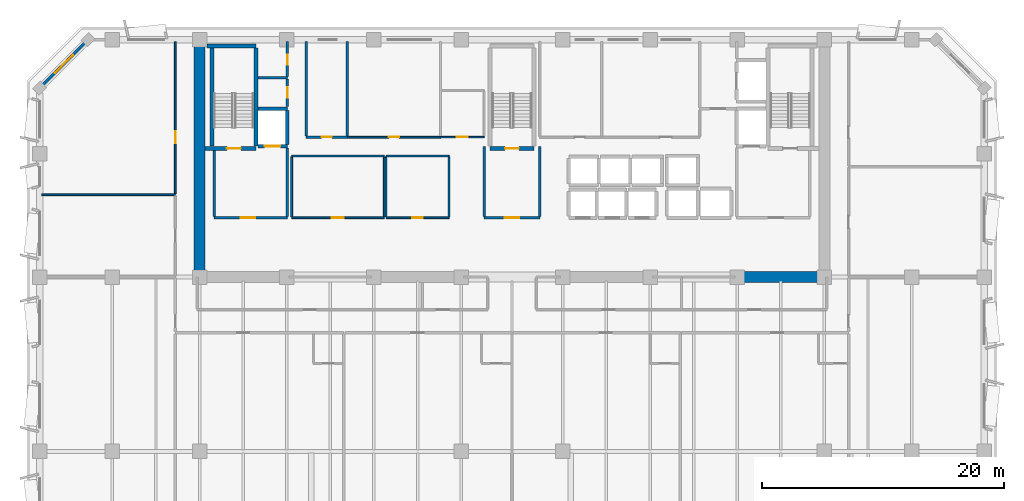
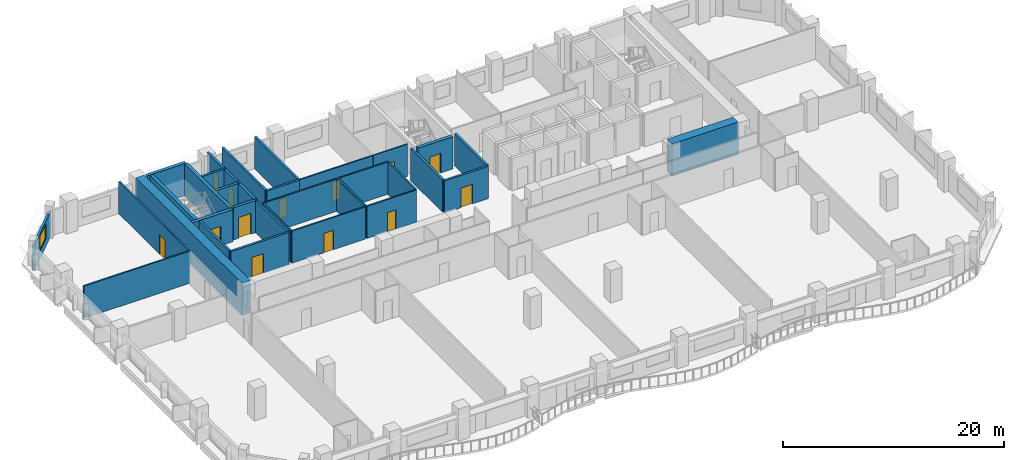
# One storey, part 6 of 14: 35 walls, 13 doors, 1 window, 14 openings.
"""IFC4 building model written with IfcOpenShell, lengths in metres."""

from ifc_helpers import new_model, si_unit, direction, frame, frame_2d, origin, place, context, subcontext, project, spatial, rectangle, extrude, material, layer, layer_set, type_object, element, fill, save


model = new_model("IFC4")

# Units and contexts
model_context = context("Model", 3, precision=1e-05, world=origin(), true_north=direction((0.0, 1.0)))
body_context = subcontext(model_context, "Body", "Model", "MODEL_VIEW")
ifc_project = project(units=[si_unit("LENGTHUNIT", "METRE"), si_unit("AREAUNIT", "SQUARE_METRE"), si_unit("VOLUMEUNIT", "CUBIC_METRE"), si_unit("PLANEANGLEUNIT", "RADIAN"), si_unit("MASSUNIT", "GRAM", prefix="KILO")], contexts=[model_context])

# Site, building, storey
site_placement = place(None, origin())
site = spatial("IfcSite", under=ifc_project, at=site_placement, CompositionType="ELEMENT")
building_placement = place(site_placement, origin())
building = spatial("IfcBuilding", under=site, at=building_placement, Name="Kaelvorn Grand Hotel", CompositionType="ELEMENT")
storey_placement = place(building_placement, frame((0.0, 0.0, 212.949951171875)))
storey = spatial("IfcBuildingStorey", under=building, at=storey_placement, Name="L52", CompositionType="ELEMENT", Elevation=212.949951171875)

# Walls
ifc_material_1 = material(Name="Concrete C60/75", Category="concrete")
ifc_layer_1 = layer(ifc_material_1, 0.89990234375)
ifc_layer_set_1 = layer_set([ifc_layer_1], Name="Concrete C60/75")
wall_type_1 = type_object("IfcWallType", Name="WL-CORE-900-C60", PredefinedType="SHEAR", material=ifc_layer_set_1)
wall_1_placement = place(storey_placement, frame((16.199951171875, 29.39990234375, 0.0), z_axis=(0.0, 0.0, 1.0), x_axis=(0.0, 1.0, 0.0)))
element("IfcWall", 1, at=wall_1_placement, inside=storey, type_object=wall_type_1, Name="L52 Rear-Core West Shear Wall", PredefinedType="SHEAR", context=body_context, shape_type="SweptSolid", body=[
    extrude(rectangle(XDim=19.2001953125, YDim=0.89990234375, at=frame_2d((9.60009765625, 0.0))), origin(), (0.0, 0.0, 1.0), 3.56005859375),
])
wall_2_placement = place(storey_placement, frame((60.39990234375, 29.39990234375, 0.0), z_axis=(0.0, 0.0, 1.0), x_axis=(1.0, 0.0, 0.0)))
element("IfcWall", 2, at=wall_2_placement, inside=storey, type_object=wall_type_1, Name="L52 Rear-Core Coupled Shear Pier S4", PredefinedType="SHEAR", context=body_context, shape_type="SweptSolid", body=[
    extrude(rectangle(XDim=6.945068359375, YDim=0.89990234375, at=frame_2d((3.47265625, 0.0))), origin(), (0.0, 0.0, 1.0), 3.56005859375),
])

# Wall, opening, window
ifc_material_2 = material(Name="Concrete C40/50", Category="concrete")
ifc_layer_2 = layer(ifc_material_2, 0.239990234375)
ifc_layer_set_2 = layer_set([ifc_layer_2], Name="Concrete C40/50")
wall_type_2 = type_object("IfcWallType", Name="WL-EXT-240-C40", PredefinedType="SOLIDWALL", material=ifc_layer_set_2)
wall_3_placement = place(storey_placement, frame((7.0, 49.0, 0.0), z_axis=(0.0, 0.0, 1.0), x_axis=(-0.707106781187, -0.707106781187, 0.0)))
wall_3 = element("IfcWall", 3, at=wall_3_placement, inside=storey, type_object=wall_type_2, Name="L52 Exterior Architectural Concrete Wall 06", PredefinedType="SOLIDWALL", context=body_context, shape_type="SweptSolid", body=[
    extrude(rectangle(XDim=5.65673828125, YDim=0.239990234375, at=frame_2d((2.828369140625, 0.0))), origin(), (0.0, 0.0, 1.0), 2.760009765625),
])
opening_1_placement = place(wall_3_placement, frame((1.7783203125, 0.0, 0.85009765625)))
opening_1 = element("IfcOpeningElement", 4, at=opening_1_placement, cuts=wall_3, Name="Opening W7", PredefinedType="OPENING", context=body_context, shape_type="SweptSolid", body=[
    extrude(rectangle(XDim=2.10009765625, YDim=1.60009765625, at=frame_2d((1.050048828125, 0.800048828125))), frame((0.0, 0.1298828125, 0.0), z_axis=(0.0, -1.0, 0.0), x_axis=(1.0, 0.0, 0.0)), (0.0, 0.0, 1.0), 0.260009765625),
])
ifc_material_3 = material(Name="Laminated Low-E Glass", Category="glass")
window_type = type_object("IfcWindowType", Name="WIN-CHM-2100x1600", PartitioningType="SINGLE_PANEL", PredefinedType="WINDOW", material=ifc_material_3)
window_placement = place(opening_1_placement, origin())
window = element("IfcWindow", 5, at=window_placement, inside=storey, type_object=window_type, Name="L52 Chamfered 45-Degree Corner Window NW", OverallHeight=1.60009765625, OverallWidth=2.10009765625, PartitioningType="SINGLE_PANEL", PredefinedType="WINDOW", context=body_context, shape_type="SweptSolid", body=[
    extrude(rectangle(XDim=2.10009765625, YDim=1.60009765625, at=frame_2d((1.050048828125, 0.800048828125))), frame((0.0, 0.030029296875, 0.0), z_axis=(0.0, -1.0, 0.0), x_axis=(1.0, 0.0, 0.0)), (0.0, 0.0, 1.0), 0.06005859375),
])
fill(opening_1, window)

# Wall, opening, door
ifc_material_4 = material(Name="Moisture-Resistant Tile & Stud Board")
ifc_layer_3 = layer(ifc_material_4, 0.125)
ifc_layer_set_3 = layer_set([ifc_layer_3], Name="Moisture-Resistant Tile & Stud Board")
wall_type_3 = type_object("IfcWallType", Name="WL-PART-125-WET", PredefinedType="PARTITIONING", material=ifc_layer_set_3)
wall_4_placement = place(storey_placement, frame((36.110107421875, 40.949951171875, 0.0), z_axis=(0.0, 0.0, 1.0), x_axis=(1.0, 0.0, 0.0)))
wall_4 = element("IfcWall", 6, at=wall_4_placement, inside=storey, type_object=wall_type_3, Name="L52 Accessible WC S Partition", PredefinedType="PARTITIONING", context=body_context, shape_type="SweptSolid", body=[
    extrude(rectangle(XDim=3.58984375, YDim=0.125, at=frame_2d((1.794921875, 0.0))), origin(), (0.0, 0.0, 1.0), 3.56005859375),
])
opening_2_placement = place(wall_4_placement, frame((1.340087890625, 0.0, 0.0)))
opening_2 = element("IfcOpeningElement", 7, at=opening_2_placement, cuts=wall_4, Name="Opening DI4", PredefinedType="OPENING", context=body_context, shape_type="SweptSolid", body=[
    extrude(rectangle(XDim=0.89990234375, YDim=2.10009765625, at=frame_2d((0.449951171875, 1.050048828125))), frame((0.0, 0.072509765625, 0.0), z_axis=(0.0, -1.0, 0.0), x_axis=(1.0, 0.0, 0.0)), (0.0, 0.0, 1.0), 0.14501953125),
])
ifc_material_5 = material(Name="Timber Veneer Leaf", Category="wood")
door_type_1 = type_object("IfcDoorType", Name="DR-INT-BATH-900x2100", OperationType="NOTDEFINED", PredefinedType="DOOR", material=ifc_material_5)
door_1_placement = place(opening_2_placement, origin())
door_1 = element("IfcDoor", 8, at=door_1_placement, inside=storey, type_object=door_type_1, Name="L52 Accessible WC Door", OperationType="SINGLE_SWING_LEFT", OverallHeight=2.10009765625, OverallWidth=0.89990234375, PredefinedType="DOOR", context=body_context, shape_type="SweptSolid", body=[
    extrude(rectangle(XDim=0.89990234375, YDim=2.10009765625, at=frame_2d((0.449951171875, 1.050048828125))), frame((0.0, 0.02490234375, 0.0), z_axis=(0.0, -1.0, 0.0), x_axis=(1.0, 0.0, 0.0)), (0.0, 0.0, 1.0), 0.050048828125),
])
fill(opening_2, door_1)

ifc_material_6 = material(Name="Acoustic Gypsum & Stud Partition")
ifc_layer_4 = layer(ifc_material_6, 0.14990234375)
ifc_layer_set_4 = layer_set([ifc_layer_4], Name="Acoustic Gypsum & Stud Partition")
wall_type_4 = type_object("IfcWallType", Name="WL-PART-150-EI60", PredefinedType="PARTITIONING", material=ifc_layer_set_4)
wall_5_placement = place(storey_placement, frame((31.60009765625, 34.300048828125, 0.0), z_axis=(0.0, 0.0, 1.0), x_axis=(1.0, 0.0, 0.0)))
wall_5 = element("IfcWall", 9, at=wall_5_placement, inside=storey, type_object=wall_type_4, Name="L52 Core Telecoms & BMS Server Room S Partition", PredefinedType="PARTITIONING", context=body_context, shape_type="SweptSolid", body=[
    extrude(rectangle(XDim=5.199951171875, YDim=0.14990234375, at=frame_2d((2.60009765625, 0.0))), origin(), (0.0, 0.0, 1.0), 3.56005859375),
])
opening_3_placement = place(wall_5_placement, frame((2.175048828125, 0.0, 0.0)))
opening_3 = element("IfcOpeningElement", 10, at=opening_3_placement, cuts=wall_5, Name="Opening DI7", PredefinedType="OPENING", context=body_context, shape_type="SweptSolid", body=[
    extrude(rectangle(XDim=0.85009765625, YDim=2.10009765625, at=frame_2d((0.425048828125, 1.050048828125))), frame((0.0, 0.0849609375, 0.0), z_axis=(0.0, -1.0, 0.0), x_axis=(1.0, 0.0, 0.0)), (0.0, 0.0, 1.0), 0.169921875),
])
ifc_material_7 = material(Name="Powder-Coated Steel Leaf", Category="steel")
door_type_2 = type_object("IfcDoorType", Name="DR-INT-RISER-850x2100", OperationType="NOTDEFINED", PredefinedType="DOOR", material=ifc_material_7)
door_2_placement = place(opening_3_placement, origin())
door_2 = element("IfcDoor", 11, at=door_2_placement, inside=storey, type_object=door_type_2, Name="L52 Core Telecoms & BMS Server Room Door", OperationType="SINGLE_SWING_LEFT", OverallHeight=2.10009765625, OverallWidth=0.85009765625, PredefinedType="DOOR", context=body_context, shape_type="SweptSolid", body=[
    extrude(rectangle(XDim=0.85009765625, YDim=2.10009765625, at=frame_2d((0.425048828125, 1.050048828125))), frame((0.0, 0.02490234375, 0.0), z_axis=(0.0, -1.0, 0.0), x_axis=(1.0, 0.0, 0.0)), (0.0, 0.0, 1.0), 0.050048828125),
])
fill(opening_3, door_2)

# Walls
wall_6_placement = place(storey_placement, frame((31.60009765625, 39.39990234375, 0.0), z_axis=(0.0, 0.0, 1.0), x_axis=(1.0, 0.0, 0.0)))
element("IfcWall", 12, at=wall_6_placement, inside=storey, type_object=wall_type_4, Name="L52 Core Telecoms & BMS Server Room N Partition", PredefinedType="PARTITIONING", context=body_context, shape_type="SweptSolid", body=[
    extrude(rectangle(XDim=5.199951171875, YDim=0.14990234375, at=frame_2d((2.60009765625, 0.0))), origin(), (0.0, 0.0, 1.0), 3.56005859375),
])
for number, where, z_axis, x_axis, name in (
    (13, (31.60009765625, 34.3798828125, 0.0), (0.0, 0.0, 1.0), (0.0, 1.0, 0.0), "L52 Core Telecoms & BMS Server Room W Partition"),
    (14, (36.800048828125, 34.3798828125, 0.0), (0.0, 0.0, 1.0), (0.0, 1.0, 0.0), "L52 Core Telecoms & BMS Server Room E Partition"),
):
    element("IfcWall", number, at=place(storey_placement, frame(where, z_axis=z_axis, x_axis=x_axis)), inside=storey, type_object=wall_type_4, Name=name, PredefinedType="PARTITIONING", context=body_context, shape_type="SweptSolid", body=[
        extrude(rectangle(XDim=4.940185546875, YDim=0.14990234375, at=frame_2d((2.47021484375, 0.0))), origin(), (0.0, 0.0, 1.0), 3.56005859375),
    ])

# Wall, opening, door
wall_7_placement = place(storey_placement, frame((23.800048828125, 34.300048828125, 0.0), z_axis=(0.0, 0.0, 1.0), x_axis=(1.0, 0.0, 0.0)))
wall_7 = element("IfcWall", 15, at=wall_7_placement, inside=storey, type_object=wall_type_4, Name="L52 Executive Club Sitting Lounge S Partition", PredefinedType="PARTITIONING", context=body_context, shape_type="SweptSolid", body=[
    extrude(rectangle(XDim=7.64990234375, YDim=0.14990234375, at=frame_2d((3.824951171875, 0.0))), origin(), (0.0, 0.0, 1.0), 3.56005859375),
])
opening_4_placement = place(wall_7_placement, frame((3.300048828125, 0.0, 0.0)))
opening_4 = element("IfcOpeningElement", 16, at=opening_4_placement, cuts=wall_7, Name="Opening DI3", PredefinedType="OPENING", context=body_context, shape_type="SweptSolid", body=[
    extrude(rectangle(XDim=1.0, YDim=2.14990234375, at=frame_2d((0.5, 1.074951171875))), frame((0.0, 0.0849609375, 0.0), z_axis=(0.0, -1.0, 0.0), x_axis=(1.0, 0.0, 0.0)), (0.0, 0.0, 1.0), 0.169921875),
])
ifc_material_8 = material(Name="Timber Veneer Fire Leaf", Category="wood")
door_type_3 = type_object("IfcDoorType", Name="DR-INT-GUEST-1000x2150", OperationType="NOTDEFINED", PredefinedType="DOOR", material=ifc_material_8)
door_3_placement = place(opening_4_placement, origin())
door_3 = element("IfcDoor", 17, at=door_3_placement, inside=storey, type_object=door_type_3, Name="L52 Executive Club Sitting Lounge Door", OperationType="SINGLE_SWING_RIGHT", OverallHeight=2.14990234375, OverallWidth=1.0, PredefinedType="DOOR", context=body_context, shape_type="SweptSolid", body=[
    extrude(rectangle(XDim=1.0, YDim=2.14990234375, at=frame_2d((0.5, 1.074951171875))), frame((0.0, 0.02490234375, 0.0), z_axis=(0.0, -1.0, 0.0), x_axis=(1.0, 0.0, 0.0)), (0.0, 0.0, 1.0), 0.050048828125),
])
fill(opening_4, door_3)

# Walls
wall_8_placement = place(storey_placement, frame((23.800048828125, 39.39990234375, 0.0), z_axis=(0.0, 0.0, 1.0), x_axis=(1.0, 0.0, 0.0)))
element("IfcWall", 18, at=wall_8_placement, inside=storey, type_object=wall_type_4, Name="L52 Executive Club Sitting Lounge N Partition", PredefinedType="PARTITIONING", context=body_context, shape_type="SweptSolid", body=[
    extrude(rectangle(XDim=7.64990234375, YDim=0.14990234375, at=frame_2d((3.824951171875, 0.0))), origin(), (0.0, 0.0, 1.0), 3.56005859375),
])
for number, where, z_axis, x_axis, name in (
    (19, (23.800048828125, 34.3798828125, 0.0), (0.0, 0.0, 1.0), (0.0, 1.0, 0.0), "L52 Executive Club Sitting Lounge W Partition"),
    (20, (31.449951171875, 34.3798828125, 0.0), (0.0, 0.0, 1.0), (0.0, 1.0, 0.0), "L52 Executive Club Sitting Lounge E Partition"),
):
    element("IfcWall", number, at=place(storey_placement, frame(where, z_axis=z_axis, x_axis=x_axis)), inside=storey, type_object=wall_type_4, Name=name, PredefinedType="PARTITIONING", context=body_context, shape_type="SweptSolid", body=[
        extrude(rectangle(XDim=4.940185546875, YDim=0.14990234375, at=frame_2d((2.47021484375, 0.0))), origin(), (0.0, 0.0, 1.0), 3.56005859375),
    ])

# Wall, opening, door
wall_9_placement = place(storey_placement, frame((28.409912109375, 40.949951171875, 0.0), z_axis=(0.0, 0.0, 1.0), x_axis=(1.0, 0.0, 0.0)))
wall_9 = element("IfcWall", 21, at=wall_9_placement, inside=storey, type_object=wall_type_4, Name="L52 Housekeeping & Linen Room S Partition", PredefinedType="PARTITIONING", context=body_context, shape_type="SweptSolid", body=[
    extrude(rectangle(XDim=7.690185546875, YDim=0.14990234375, at=frame_2d((3.84521484375, 0.0))), origin(), (0.0, 0.0, 1.0), 3.56005859375),
])
opening_5_placement = place(wall_9_placement, frame((3.4150390625, 0.0, 0.0)))
opening_5 = element("IfcOpeningElement", 22, at=opening_5_placement, cuts=wall_9, Name="Opening DI7", PredefinedType="OPENING", context=body_context, shape_type="SweptSolid", body=[
    extrude(rectangle(XDim=0.85009765625, YDim=2.10009765625, at=frame_2d((0.425048828125, 1.050048828125))), frame((0.0, 0.0849609375, 0.0), z_axis=(0.0, -1.0, 0.0), x_axis=(1.0, 0.0, 0.0)), (0.0, 0.0, 1.0), 0.169921875),
])
door_4_placement = place(opening_5_placement, origin())
door_4 = element("IfcDoor", 23, at=door_4_placement, inside=storey, type_object=door_type_2, Name="L52 Housekeeping & Linen Room Door", OperationType="SINGLE_SWING_RIGHT", OverallHeight=2.10009765625, OverallWidth=0.85009765625, PredefinedType="DOOR", context=body_context, shape_type="SweptSolid", body=[
    extrude(rectangle(XDim=0.85009765625, YDim=2.10009765625, at=frame_2d((0.425048828125, 1.050048828125))), frame((0.0, 0.02490234375, 0.0), z_axis=(0.0, -1.0, 0.0), x_axis=(1.0, 0.0, 0.0)), (0.0, 0.0, 1.0), 0.050048828125),
])
fill(opening_5, door_4)

# Wall
wall_10_placement = place(storey_placement, frame((3.14990234375, 36.199951171875, 0.0), z_axis=(0.0, 0.0, 1.0), x_axis=(1.0, 0.0, 0.0)))
element("IfcWall", 24, at=wall_10_placement, inside=storey, type_object=wall_type_4, Name="L52 North-West Botanical Conservatory Salon N Partition", PredefinedType="PARTITIONING", context=body_context, shape_type="SweptSolid", body=[
    extrude(rectangle(XDim=11.050048828125, YDim=0.14990234375, at=frame_2d((5.52490234375, 0.0))), origin(), (0.0, 0.0, 1.0), 3.56005859375),
])

# Wall, opening, door
wall_11_placement = place(storey_placement, frame((14.199951171875, 36.280029296875, 0.0), z_axis=(0.0, 0.0, 1.0), x_axis=(0.0, 1.0, 0.0)))
wall_11 = element("IfcWall", 25, at=wall_11_placement, inside=storey, type_object=wall_type_4, Name="L52 North-West Catering Servery Kitchen E Partition", PredefinedType="PARTITIONING", context=body_context, shape_type="SweptSolid", body=[
    extrude(rectangle(XDim=12.570068359375, YDim=0.14990234375, at=frame_2d((6.28515625, 0.0))), origin(), (0.0, 0.0, 1.0), 3.56005859375),
])
opening_6_placement = place(wall_11_placement, frame((4.169921875, 0.0, 0.0)))
opening_6 = element("IfcOpeningElement", 26, at=opening_6_placement, cuts=wall_11, Name="Opening DI3", PredefinedType="OPENING", context=body_context, shape_type="SweptSolid", body=[
    extrude(rectangle(XDim=1.0, YDim=2.14990234375, at=frame_2d((0.5, 1.074951171875))), frame((0.0, 0.0849609375, 0.0), z_axis=(0.0, -1.0, 0.0), x_axis=(1.0, 0.0, 0.0)), (0.0, 0.0, 1.0), 0.169921875),
])
door_5_placement = place(opening_6_placement, origin())
door_5 = element("IfcDoor", 27, at=door_5_placement, inside=storey, type_object=door_type_3, Name="L52 North-West Catering Servery Kitchen Door", OperationType="SINGLE_SWING_LEFT", OverallHeight=2.14990234375, OverallWidth=1.0, PredefinedType="DOOR", context=body_context, shape_type="SweptSolid", body=[
    extrude(rectangle(XDim=1.0, YDim=2.14990234375, at=frame_2d((0.5, 1.074951171875))), frame((0.0, 0.02490234375, 0.0), z_axis=(0.0, -1.0, 0.0), x_axis=(1.0, 0.0, 0.0)), (0.0, 0.0, 1.0), 0.050048828125),
])
fill(opening_6, door_5)

ifc_layer_5 = layer(ifc_material_2, 0.219970703125)
ifc_layer_set_5 = layer_set([ifc_layer_5], Name="Concrete C40/50")
wall_type_5 = type_object("IfcWallType", Name="WL-PART-220-EI120", PredefinedType="PARTITIONING", material=ifc_layer_set_5)
wall_12_placement = place(storey_placement, frame((17.39990234375, 34.300048828125, 0.0), z_axis=(0.0, 0.0, 1.0), x_axis=(1.0, 0.0, 0.0)))
wall_12 = element("IfcWall", 28, at=wall_12_placement, inside=storey, type_object=wall_type_5, Name="L52 Firefighting Lift Lobby 1 S Partition", PredefinedType="PARTITIONING", context=body_context, shape_type="SweptSolid", body=[
    extrude(rectangle(XDim=6.050048828125, YDim=0.219970703125, at=frame_2d((3.02490234375, 0.0))), origin(), (0.0, 0.0, 1.0), 3.56005859375),
])
opening_7_placement = place(wall_12_placement, frame((2.199951171875, 0.0, 0.0)))
opening_7 = element("IfcOpeningElement", 29, at=opening_7_placement, cuts=wall_12, Name="Opening DI2", PredefinedType="OPENING", context=body_context, shape_type="SweptSolid", body=[
    extrude(rectangle(XDim=1.199951171875, YDim=2.14990234375, at=frame_2d((0.60009765625, 1.074951171875))), frame((0.0, 0.1201171875, 0.0), z_axis=(0.0, -1.0, 0.0), x_axis=(1.0, 0.0, 0.0)), (0.0, 0.0, 1.0), 0.239990234375),
])
door_type_4 = type_object("IfcDoorType", Name="DR-INT-FFLOB-1200x2150", OperationType="NOTDEFINED", PredefinedType="DOOR", material=ifc_material_8)
door_6_placement = place(opening_7_placement, origin())
door_6 = element("IfcDoor", 30, at=door_6_placement, inside=storey, type_object=door_type_4, Name="L52 Firefighting Lift Lobby 1 Door", OperationType="SINGLE_SWING_LEFT", OverallHeight=2.14990234375, OverallWidth=1.199951171875, PredefinedType="DOOR", context=body_context, shape_type="SweptSolid", body=[
    extrude(rectangle(XDim=1.199951171875, YDim=2.14990234375, at=frame_2d((0.60009765625, 1.074951171875))), frame((0.0, 0.02490234375, 0.0), z_axis=(0.0, -1.0, 0.0), x_axis=(1.0, 0.0, 0.0)), (0.0, 0.0, 1.0), 0.050048828125),
])
fill(opening_7, door_6)

# Walls
wall_13_placement = place(storey_placement, frame((17.39990234375, 34.4150390625, 0.0), z_axis=(0.0, 0.0, 1.0), x_axis=(0.0, 1.0, 0.0)))
element("IfcWall", 31, at=wall_13_placement, inside=storey, type_object=wall_type_5, Name="L52 Firefighting Lift Lobby 1 W Partition", PredefinedType="PARTITIONING", context=body_context, shape_type="SweptSolid", body=[
    extrude(rectangle(XDim=5.429931640625, YDim=0.219970703125, at=frame_2d((2.71484375, 0.0))), origin(), (0.0, 0.0, 1.0), 3.56005859375),
])
wall_14_placement = place(storey_placement, frame((23.449951171875, 34.4150390625, 0.0), z_axis=(0.0, 0.0, 1.0), x_axis=(0.0, 1.0, 0.0)))
element("IfcWall", 32, at=wall_14_placement, inside=storey, type_object=wall_type_5, Name="L52 Firefighting Lift Lobby 1 E Partition", PredefinedType="PARTITIONING", context=body_context, shape_type="SweptSolid", body=[
    extrude(rectangle(XDim=5.639892578125, YDim=0.219970703125, at=frame_2d((2.81982421875, 0.0))), origin(), (0.0, 0.0, 1.0), 3.56005859375),
])

# Wall, opening, door
wall_15_placement = place(storey_placement, frame((39.699951171875, 34.300048828125, 0.0), z_axis=(0.0, 0.0, 1.0), x_axis=(1.0, 0.0, 0.0)))
wall_15 = element("IfcWall", 33, at=wall_15_placement, inside=storey, type_object=wall_type_5, Name="L52 Central Stair Escape Vestibule S Partition", PredefinedType="PARTITIONING", context=body_context, shape_type="SweptSolid", body=[
    extrude(rectangle(XDim=4.60009765625, YDim=0.219970703125, at=frame_2d((2.300048828125, 0.0))), origin(), (0.0, 0.0, 1.0), 3.56005859375),
])
opening_8_placement = place(wall_15_placement, frame((1.699951171875, 0.0, 0.0)))
opening_8 = element("IfcOpeningElement", 34, at=opening_8_placement, cuts=wall_15, Name="Opening DI2", PredefinedType="OPENING", context=body_context, shape_type="SweptSolid", body=[
    extrude(rectangle(XDim=1.199951171875, YDim=2.14990234375, at=frame_2d((0.60009765625, 1.074951171875))), frame((0.0, 0.1201171875, 0.0), z_axis=(0.0, -1.0, 0.0), x_axis=(1.0, 0.0, 0.0)), (0.0, 0.0, 1.0), 0.239990234375),
])
door_7_placement = place(opening_8_placement, origin())
door_7 = element("IfcDoor", 35, at=door_7_placement, inside=storey, type_object=door_type_4, Name="L52 Central Stair Escape Vestibule Door", OperationType="SINGLE_SWING_LEFT", OverallHeight=2.14990234375, OverallWidth=1.199951171875, PredefinedType="DOOR", context=body_context, shape_type="SweptSolid", body=[
    extrude(rectangle(XDim=1.199951171875, YDim=2.14990234375, at=frame_2d((0.60009765625, 1.074951171875))), frame((0.0, 0.02490234375, 0.0), z_axis=(0.0, -1.0, 0.0), x_axis=(1.0, 0.0, 0.0)), (0.0, 0.0, 1.0), 0.050048828125),
])
fill(opening_8, door_7)

# Walls
for number, where, z_axis, x_axis, name in (
    (36, (39.699951171875, 34.4150390625, 0.0), (0.0, 0.0, 1.0), (0.0, 1.0, 0.0), "L52 Central Stair Escape Vestibule W Partition"),
    (37, (44.300048828125, 34.4150390625, 0.0), (0.0, 0.0, 1.0), (0.0, 1.0, 0.0), "L52 Central Stair Escape Vestibule E Partition"),
):
    element("IfcWall", number, at=place(storey_placement, frame(where, z_axis=z_axis, x_axis=x_axis)), inside=storey, type_object=wall_type_5, Name=name, PredefinedType="PARTITIONING", context=body_context, shape_type="SweptSolid", body=[
        extrude(rectangle(XDim=5.784912109375, YDim=0.219970703125, at=frame_2d((2.892578125, 0.0))), origin(), (0.0, 0.0, 1.0), 3.56005859375),
    ])
wall_16_placement = place(storey_placement, frame((21.034912109375, 45.85009765625, 0.0), z_axis=(0.0, 0.0, 1.0), x_axis=(1.0, 0.0, 0.0)))
element("IfcWall", 38, at=wall_16_placement, inside=storey, type_object=wall_type_5, Name="L52 Wet Fire & Plumbing Riser Shaft N Partition", PredefinedType="PARTITIONING", context=body_context, shape_type="SweptSolid", body=[
    extrude(rectangle(XDim=2.4150390625, YDim=0.219970703125, at=frame_2d((1.20751953125, 0.0))), origin(), (0.0, 0.0, 1.0), 3.56005859375),
])

# Wall, opening, door
wall_17_placement = place(storey_placement, frame((23.449951171875, 43.5, 0.0), z_axis=(0.0, 0.0, 1.0), x_axis=(0.0, 1.0, 0.0)))
wall_17 = element("IfcWall", 39, at=wall_17_placement, inside=storey, type_object=wall_type_5, Name="L52 Wet Fire & Plumbing Riser Shaft E Partition", PredefinedType="PARTITIONING", context=body_context, shape_type="SweptSolid", body=[
    extrude(rectangle(XDim=2.235107421875, YDim=0.219970703125, at=frame_2d((1.11767578125, 0.0))), origin(), (0.0, 0.0, 1.0), 3.56005859375),
])
opening_9_placement = place(wall_17_placement, frame((0.72509765625, 0.0, 0.0)))
opening_9 = element("IfcOpeningElement", 40, at=opening_9_placement, cuts=wall_17, Name="Opening DI7", PredefinedType="OPENING", context=body_context, shape_type="SweptSolid", body=[
    extrude(rectangle(XDim=0.85009765625, YDim=2.10009765625, at=frame_2d((0.425048828125, 1.050048828125))), frame((0.0, 0.1201171875, 0.0), z_axis=(0.0, -1.0, 0.0), x_axis=(1.0, 0.0, 0.0)), (0.0, 0.0, 1.0), 0.239990234375),
])
door_8_placement = place(opening_9_placement, origin())
door_8 = element("IfcDoor", 41, at=door_8_placement, inside=storey, type_object=door_type_2, Name="L52 Wet Fire & Plumbing Riser Shaft Door", OperationType="SINGLE_SWING_LEFT", OverallHeight=2.10009765625, OverallWidth=0.85009765625, PredefinedType="DOOR", context=body_context, shape_type="SweptSolid", body=[
    extrude(rectangle(XDim=0.85009765625, YDim=2.10009765625, at=frame_2d((0.425048828125, 1.050048828125))), frame((0.0, 0.02490234375, 0.0), z_axis=(0.0, -1.0, 0.0), x_axis=(1.0, 0.0, 0.0)), (0.0, 0.0, 1.0), 0.050048828125),
])
fill(opening_9, door_8)

wall_18_placement = place(storey_placement, frame((23.449951171875, 45.965087890625, 0.0), z_axis=(0.0, 0.0, 1.0), x_axis=(0.0, 1.0, 0.0)))
wall_18 = element("IfcWall", 42, at=wall_18_placement, inside=storey, type_object=wall_type_5, Name="L52 HV Electrical & Smoke Riser E Partition", PredefinedType="PARTITIONING", context=body_context, shape_type="SweptSolid", body=[
    extrude(rectangle(XDim=2.885009765625, YDim=0.219970703125, at=frame_2d((1.4423828125, 0.0))), origin(), (0.0, 0.0, 1.0), 3.56005859375),
])
opening_10_placement = place(wall_18_placement, frame((0.9599609375, 0.0, 0.0)))
opening_10 = element("IfcOpeningElement", 43, at=opening_10_placement, cuts=wall_18, Name="Opening DI7", PredefinedType="OPENING", context=body_context, shape_type="SweptSolid", body=[
    extrude(rectangle(XDim=0.85009765625, YDim=2.10009765625, at=frame_2d((0.425048828125, 1.050048828125))), frame((0.0, 0.1201171875, 0.0), z_axis=(0.0, -1.0, 0.0), x_axis=(1.0, 0.0, 0.0)), (0.0, 0.0, 1.0), 0.239990234375),
])
door_9_placement = place(opening_10_placement, origin())
door_9 = element("IfcDoor", 44, at=door_9_placement, inside=storey, type_object=door_type_2, Name="L52 HV Electrical & Smoke Riser Door", OperationType="SINGLE_SWING_RIGHT", OverallHeight=2.10009765625, OverallWidth=0.85009765625, PredefinedType="DOOR", context=body_context, shape_type="SweptSolid", body=[
    extrude(rectangle(XDim=0.85009765625, YDim=2.10009765625, at=frame_2d((0.425048828125, 1.050048828125))), frame((0.0, 0.02490234375, 0.0), z_axis=(0.0, -1.0, 0.0), x_axis=(1.0, 0.0, 0.0)), (0.0, 0.0, 1.0), 0.050048828125),
])
fill(opening_10, door_9)

wall_19_placement = place(storey_placement, frame((25.0, 40.949951171875, 0.0), z_axis=(0.0, 0.0, 1.0), x_axis=(1.0, 0.0, 0.0)))
wall_19 = element("IfcWall", 45, at=wall_19_placement, inside=storey, type_object=wall_type_5, Name="L52 Electrical Distribution Room S Partition", PredefinedType="PARTITIONING", context=body_context, shape_type="SweptSolid", body=[
    extrude(rectangle(XDim=3.39990234375, YDim=0.219970703125, at=frame_2d((1.699951171875, 0.0))), origin(), (0.0, 0.0, 1.0), 3.56005859375),
])
opening_11_placement = place(wall_19_placement, frame((1.27490234375, 0.0, 0.0)))
opening_11 = element("IfcOpeningElement", 46, at=opening_11_placement, cuts=wall_19, Name="Opening DI7", PredefinedType="OPENING", context=body_context, shape_type="SweptSolid", body=[
    extrude(rectangle(XDim=0.85009765625, YDim=2.10009765625, at=frame_2d((0.425048828125, 1.050048828125))), frame((0.0, 0.1201171875, 0.0), z_axis=(0.0, -1.0, 0.0), x_axis=(1.0, 0.0, 0.0)), (0.0, 0.0, 1.0), 0.239990234375),
])
door_10_placement = place(opening_11_placement, origin())
door_10 = element("IfcDoor", 47, at=door_10_placement, inside=storey, type_object=door_type_2, Name="L52 Electrical Distribution Room Door", OperationType="SINGLE_SWING_LEFT", OverallHeight=2.10009765625, OverallWidth=0.85009765625, PredefinedType="DOOR", context=body_context, shape_type="SweptSolid", body=[
    extrude(rectangle(XDim=0.85009765625, YDim=2.10009765625, at=frame_2d((0.425048828125, 1.050048828125))), frame((0.0, 0.02490234375, 0.0), z_axis=(0.0, -1.0, 0.0), x_axis=(1.0, 0.0, 0.0)), (0.0, 0.0, 1.0), 0.050048828125),
])
fill(opening_11, door_10)

# Walls
for number, where, z_axis, x_axis, name in (
    (48, (25.0, 41.06494140625, 0.0), (0.0, 0.0, 1.0), (0.0, 1.0, 0.0), "L52 Electrical Distribution Room W Partition"),
    (49, (28.39990234375, 41.06494140625, 0.0), (0.0, 0.0, 1.0), (0.0, 1.0, 0.0), "L52 Electrical Distribution Room E Partition"),
):
    element("IfcWall", number, at=place(storey_placement, frame(where, z_axis=z_axis, x_axis=x_axis)), inside=storey, type_object=wall_type_5, Name=name, PredefinedType="PARTITIONING", context=body_context, shape_type="SweptSolid", body=[
        extrude(rectangle(XDim=7.78515625, YDim=0.219970703125, at=frame_2d((3.892578125, 0.0))), origin(), (0.0, 0.0, 1.0), 3.56005859375),
    ])

# Wall, opening, door
ifc_material_9 = material(Name="Concrete C50/60", Category="concrete")
ifc_layer_6 = layer(ifc_material_9, 0.280029296875)
ifc_layer_set_6 = layer_set([ifc_layer_6], Name="Concrete C50/60")
wall_type_6 = type_object("IfcWallType", Name="WL-SHAFT-280-C50", PredefinedType="SHEAR", material=ifc_layer_set_6)
wall_20_placement = place(storey_placement, frame((21.034912109375, 40.199951171875, 0.0), z_axis=(0.0, 0.0, 1.0), x_axis=(1.0, 0.0, 0.0)))
wall_20 = element("IfcWall", 50, at=wall_20_placement, inside=storey, type_object=wall_type_6, Name="L52 Lift FFL1 Shaft South Wall", PredefinedType="SHEAR", context=body_context, shape_type="SweptSolid", body=[
    extrude(rectangle(XDim=2.4150390625, YDim=0.280029296875, at=frame_2d((1.20751953125, 0.0))), origin(), (0.0, 0.0, 1.0), 3.56005859375),
])
opening_12_placement = place(wall_20_placement, frame((0.5400390625, 0.0, 0.0)))
opening_12 = element("IfcOpeningElement", 51, at=opening_12_placement, cuts=wall_20, Name="Opening LD-FFL1", PredefinedType="OPENING", context=body_context, shape_type="SweptSolid", body=[
    extrude(rectangle(XDim=1.300048828125, YDim=2.300048828125, at=frame_2d((0.64990234375, 1.14990234375))), frame((0.0, 0.14990234375, 0.0), z_axis=(0.0, -1.0, 0.0), x_axis=(1.0, 0.0, 0.0)), (0.0, 0.0, 1.0), 0.300048828125),
])
ifc_material_10 = material(Name="Stainless Steel", Category="steel")
door_type_5 = type_object("IfcDoorType", Name="DR-LIFT-SERV-1300x2300", OperationType="DOUBLE_DOOR_SLIDING", PredefinedType="DOOR", material=ifc_material_10)
door_11_placement = place(opening_12_placement, origin())
door_11 = element("IfcDoor", 52, at=door_11_placement, inside=storey, type_object=door_type_5, Name="L52 Lift FFL1 Sliding Landing Door LD-FFL1", OperationType="DOUBLE_DOOR_SLIDING", OverallHeight=2.300048828125, OverallWidth=1.300048828125, PredefinedType="DOOR", context=body_context, shape_type="SweptSolid", body=[
    extrude(rectangle(XDim=1.300048828125, YDim=2.300048828125, at=frame_2d((0.64990234375, 1.14990234375))), frame((0.0, 0.02490234375, 0.0), z_axis=(0.0, -1.0, 0.0), x_axis=(1.0, 0.0, 0.0)), (0.0, 0.0, 1.0), 0.050048828125),
])
fill(opening_12, door_11)

# Walls
wall_21_placement = place(storey_placement, frame((21.034912109375, 43.300048828125, 0.0), z_axis=(0.0, 0.0, 1.0), x_axis=(1.0, 0.0, 0.0)))
element("IfcWall", 53, at=wall_21_placement, inside=storey, type_object=wall_type_6, Name="L52 Lift FFL1 Shaft North Wall", PredefinedType="SHEAR", context=body_context, shape_type="SweptSolid", body=[
    extrude(rectangle(XDim=2.4150390625, YDim=0.280029296875, at=frame_2d((1.20751953125, 0.0))), origin(), (0.0, 0.0, 1.0), 3.56005859375),
])
wall_22_placement = place(storey_placement, frame((23.449951171875, 40.344970703125, 0.0), z_axis=(0.0, 0.0, 1.0), x_axis=(0.0, 1.0, 0.0)))
element("IfcWall", 54, at=wall_22_placement, inside=storey, type_object=wall_type_6, Name="L52 Lift FFL1 Shaft East Wall", PredefinedType="SHEAR", context=body_context, shape_type="SweptSolid", body=[
    extrude(rectangle(XDim=2.81005859375, YDim=0.280029296875, at=frame_2d((1.405029296875, 0.0))), origin(), (0.0, 0.0, 1.0), 3.56005859375),
])

# Wall, opening, door
ifc_layer_7 = layer(ifc_material_1, 0.35009765625)
ifc_layer_set_7 = layer_set([ifc_layer_7], Name="Concrete C60/75")
wall_type_7 = type_object("IfcWallType", Name="WL-SHAFT-350-C60", PredefinedType="SHEAR", material=ifc_layer_set_7)
wall_23_placement = place(storey_placement, frame((16.655029296875, 40.02490234375, 0.0), z_axis=(0.0, 0.0, 1.0), x_axis=(1.0, 0.0, 0.0)))
wall_23 = element("IfcWall", 55, at=wall_23_placement, inside=storey, type_object=wall_type_7, Name="L52 ST1 Stair Shaft South Wall", PredefinedType="SHEAR", context=body_context, shape_type="SweptSolid", body=[
    extrude(rectangle(XDim=4.199951171875, YDim=0.35009765625, at=frame_2d((2.10009765625, 0.0))), origin(), (0.0, 0.0, 1.0), 3.56005859375),
])
opening_13_placement = place(wall_23_placement, frame((1.81005859375, 0.0, 0.0)))
opening_13 = element("IfcOpeningElement", 56, at=opening_13_placement, cuts=wall_23, Name="Opening DI1", PredefinedType="OPENING", context=body_context, shape_type="SweptSolid", body=[
    extrude(rectangle(XDim=1.14990234375, YDim=2.14990234375, at=frame_2d((0.574951171875, 1.074951171875))), frame((0.0, 0.18505859375, 0.0), z_axis=(0.0, -1.0, 0.0), x_axis=(1.0, 0.0, 0.0)), (0.0, 0.0, 1.0), 0.3701171875),
])
door_type_6 = type_object("IfcDoorType", Name="DR-INT-STAIR-1150x2150", OperationType="NOTDEFINED", PredefinedType="DOOR", material=ifc_material_8)
door_12_placement = place(opening_13_placement, origin())
door_12 = element("IfcDoor", 57, at=door_12_placement, inside=storey, type_object=door_type_6, Name="L52 ST1 Exit Stair Fire Door", OperationType="SINGLE_SWING_RIGHT", OverallHeight=2.14990234375, OverallWidth=1.14990234375, PredefinedType="DOOR", context=body_context, shape_type="SweptSolid", body=[
    extrude(rectangle(XDim=1.14990234375, YDim=2.14990234375, at=frame_2d((0.574951171875, 1.074951171875))), frame((0.0, 0.02490234375, 0.0), z_axis=(0.0, -1.0, 0.0), x_axis=(1.0, 0.0, 0.0)), (0.0, 0.0, 1.0), 0.050048828125),
])
fill(opening_13, door_12)

# Walls
wall_24_placement = place(storey_placement, frame((16.804931640625, 48.47509765625, 0.0), z_axis=(0.0, 0.0, 1.0), x_axis=(1.0, 0.0, 0.0)))
element("IfcWall", 58, at=wall_24_placement, inside=storey, type_object=wall_type_7, Name="L52 ST1 Stair Shaft North Wall", PredefinedType="SHEAR", context=body_context, shape_type="SweptSolid", body=[
    extrude(rectangle(XDim=4.050048828125, YDim=0.35009765625, at=frame_2d((2.02490234375, 0.0))), origin(), (0.0, 0.0, 1.0), 3.56005859375),
])
for number, where, z_axis, x_axis, name in (
    (59, (17.22509765625, 40.205078125, 0.0), (0.0, 0.0, 1.0), (0.0, 1.0, 0.0), "L52 ST1 Stair Shaft West Wall"),
    (60, (20.85498046875, 40.205078125, 0.0), (0.0, 0.0, 1.0), (0.0, 1.0, 0.0), "L52 ST1 Stair Shaft East Wall"),
):
    element("IfcWall", number, at=place(storey_placement, frame(where, z_axis=z_axis, x_axis=x_axis)), inside=storey, type_object=wall_type_7, Name=name, PredefinedType="SHEAR", context=body_context, shape_type="SweptSolid", body=[
        extrude(rectangle(XDim=8.08984375, YDim=0.35009765625, at=frame_2d((4.044921875, 0.0))), origin(), (0.0, 0.0, 1.0), 3.56005859375),
    ])

# Wall, opening, door
wall_25_placement = place(storey_placement, frame((40.18505859375, 40.02490234375, 0.0), z_axis=(0.0, 0.0, 1.0), x_axis=(1.0, 0.0, 0.0)))
wall_25 = element("IfcWall", 61, at=wall_25_placement, inside=storey, type_object=wall_type_7, Name="L52 ST2 Stair Shaft South Wall", PredefinedType="SHEAR", context=body_context, shape_type="SweptSolid", body=[
    extrude(rectangle(XDim=3.6298828125, YDim=0.35009765625, at=frame_2d((1.81494140625, 0.0))), origin(), (0.0, 0.0, 1.0), 3.56005859375),
])
opening_14_placement = place(wall_25_placement, frame((1.239990234375, 0.0, 0.0)))
opening_14 = element("IfcOpeningElement", 62, at=opening_14_placement, cuts=wall_25, Name="Opening DI1", PredefinedType="OPENING", context=body_context, shape_type="SweptSolid", body=[
    extrude(rectangle(XDim=1.14990234375, YDim=2.14990234375, at=frame_2d((0.574951171875, 1.074951171875))), frame((0.0, 0.18505859375, 0.0), z_axis=(0.0, -1.0, 0.0), x_axis=(1.0, 0.0, 0.0)), (0.0, 0.0, 1.0), 0.3701171875),
])
door_13_placement = place(opening_14_placement, origin())
door_13 = element("IfcDoor", 63, at=door_13_placement, inside=storey, type_object=door_type_6, Name="L52 ST2 Exit Stair Fire Door", OperationType="SINGLE_SWING_LEFT", OverallHeight=2.14990234375, OverallWidth=1.14990234375, PredefinedType="DOOR", context=body_context, shape_type="SweptSolid", body=[
    extrude(rectangle(XDim=1.14990234375, YDim=2.14990234375, at=frame_2d((0.574951171875, 1.074951171875))), frame((0.0, 0.02490234375, 0.0), z_axis=(0.0, -1.0, 0.0), x_axis=(1.0, 0.0, 0.0)), (0.0, 0.0, 1.0), 0.050048828125),
])
fill(opening_14, door_13)

save(model, "model.ifc")
